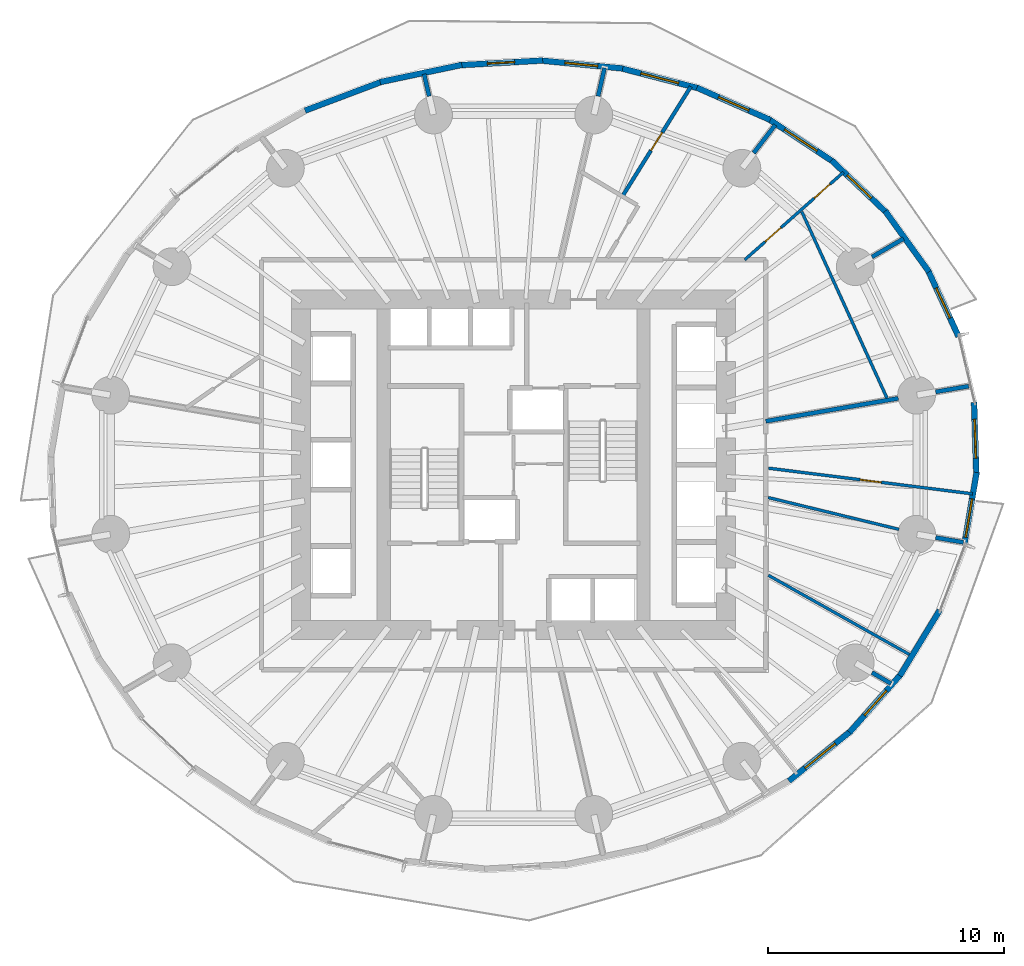
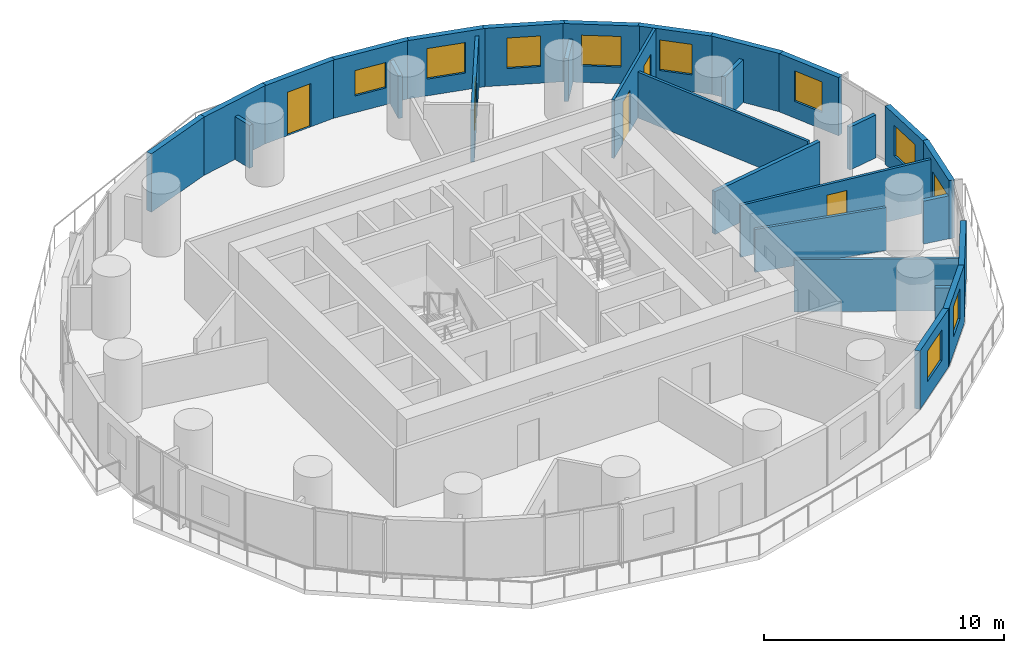
# One storey, part 9 of 14: 29 walls, 10 windows, 5 doors, 15 openings.
"""IFC4 building model written with IfcOpenShell, lengths in metres."""

from ifc_helpers import new_model, si_unit, direction, frame, frame_2d, origin, place, context, subcontext, project, spatial, rectangle, extrude, material, layer, layer_set, type_object, element, fill, save


model = new_model("IFC4")

# Units and contexts
model_context = context("Model", 3, precision=1e-05, world=origin(), true_north=direction((0.0, 1.0)))
body_context = subcontext(model_context, "Body", "Model", "MODEL_VIEW")
ifc_project = project(units=[si_unit("LENGTHUNIT", "METRE"), si_unit("AREAUNIT", "SQUARE_METRE"), si_unit("VOLUMEUNIT", "CUBIC_METRE"), si_unit("PLANEANGLEUNIT", "RADIAN"), si_unit("MASSUNIT", "GRAM", prefix="KILO")], contexts=[model_context])

# Site, building, storey
site_placement = place(None, origin())
site = spatial("IfcSite", under=ifc_project, at=site_placement, CompositionType="ELEMENT")
building_placement = place(site_placement, origin())
building = spatial("IfcBuilding", under=site, at=building_placement, Name="Veldorim Arch Residences", CompositionType="ELEMENT")
storey_placement = place(building_placement, frame((0.0, 0.0, 37.60009765625)))
storey = spatial("IfcBuildingStorey", under=building, at=storey_placement, Name="L10", CompositionType="ELEMENT", Elevation=37.60009765625)

# Wall, opening, door
ifc_material_1 = material(Name="Acoustic Gypsum Board", Category="gypsum")
ifc_layer_1 = layer(ifc_material_1, 0.125, Name="Acoustic Stud Room Partition Wall 125")
ifc_layer_set_1 = layer_set([ifc_layer_1], Name="Acoustic Gypsum Board")
wall_type_1 = type_object("IfcWallType", Name="Acoustic Stud Room Partition Wall 125", PredefinedType="PARTITIONING", material=ifc_layer_set_1)
wall_1_placement = place(storey_placement, frame((51.439453125, 22.767822265625, 0.0), z_axis=(0.0, 0.0, 1.0), x_axis=(-0.992204813033, 0.124617851825, 0.0)))
wall_1 = element("IfcWall", 1, at=wall_1_placement, inside=storey, type_object=wall_type_1, Name="L10 interior wall WL-RES-L10-006", PredefinedType="PARTITIONING", context=body_context, shape_type="SweptSolid", body=[
    extrude(rectangle(XDim=8.708251953125, YDim=0.125, at=frame_2d((4.35400390625, 0.0))), origin(), (0.0, 0.0, 1.0), 2.641357421875),
])
opening_1_placement = place(wall_1_placement, frame((3.904052734375, 0.0, 0.0)))
opening_1 = element("IfcOpeningElement", 2, at=opening_1_placement, cuts=wall_1, Name="Opening DR-SVC", PredefinedType="OPENING", context=body_context, shape_type="SweptSolid", body=[
    extrude(rectangle(XDim=0.89990234375, YDim=2.10009765625, at=frame_2d((0.449951171875, 1.050048828125))), frame((0.0, 0.072509765625, 0.0), z_axis=(0.0, -1.0, 0.0), x_axis=(1.0, 0.0, 0.0)), (0.0, 0.0, 1.0), 0.14501953125),
])
ifc_material_2 = material(Name="Fire-Rated Steel", Category="steel")
door_type_1 = type_object("IfcDoorType", Name="Riser, Shelter & Plant Room Rated Steel Door 900x2100", OperationType="SINGLE_SWING_LEFT", PredefinedType="DOOR", material=ifc_material_2)
door_1_placement = place(opening_1_placement, origin())
door_1 = element("IfcDoor", 3, at=door_1_placement, inside=storey, type_object=door_type_1, Name="L10 interior door DR-RES-L10-006", OperationType="SINGLE_SWING_RIGHT", OverallHeight=2.10009765625, OverallWidth=0.89990234375, PredefinedType="DOOR", context=body_context, shape_type="SweptSolid", body=[
    extrude(rectangle(XDim=0.89990234375, YDim=2.10009765625, at=frame_2d((0.449951171875, 1.050048828125))), frame((0.0, 0.02490234375, 0.0), z_axis=(0.0, -1.0, 0.0), x_axis=(1.0, 0.0, 0.0)), (0.0, 0.0, 1.0), 0.050048828125),
])
fill(opening_1, door_1)

# Walls
wall_2_placement = place(storey_placement, frame((48.85791015625, 15.9091796875, 0.0), z_axis=(0.0, 0.0, 1.0), x_axis=(-0.871931019114, 0.489628734764, 0.0)))
element("IfcWall", 4, at=wall_2_placement, inside=storey, type_object=wall_type_1, Name="L10 interior wall WL-RES-L10-008", PredefinedType="PARTITIONING", context=body_context, shape_type="SweptSolid", body=[
    extrude(rectangle(XDim=6.96533203125, YDim=0.125, at=frame_2d((3.482666015625, 0.0))), origin(), (0.0, 0.0, 1.0), 2.641357421875),
])
wall_3_placement = place(storey_placement, frame((42.777099609375, 22.612060546875, 0.0), z_axis=(0.0, 0.0, 1.0), x_axis=(0.971633604644, -0.236491307083, 0.0)))
element("IfcWall", 5, at=wall_3_placement, inside=storey, type_object=wall_type_1, Name="L10 interior wall WL-RES-L10-009", PredefinedType="PARTITIONING", context=body_context, shape_type="SweptSolid", body=[
    extrude(rectangle(XDim=5.706787109375, YDim=0.125, at=frame_2d((2.853515625, 0.0))), origin(), (0.0, 0.0, 1.0), 2.17822265625),
])

# Wall, openings, doors
wall_4_placement = place(storey_placement, frame((45.972900390625, 36.389892578125, 0.0), z_axis=(0.0, 0.0, 1.0), x_axis=(-0.748208515509, -0.663463651845, 0.0)))
wall_4 = element("IfcWall", 6, at=wall_4_placement, inside=storey, type_object=wall_type_1, Name="L10 interior wall WL-RES-L10-014", PredefinedType="PARTITIONING", context=body_context, shape_type="SweptSolid", body=[
    extrude(rectangle(XDim=5.591796875, YDim=0.125, at=frame_2d((2.7958984375, 0.0))), origin(), (0.0, 0.0, 1.0), 2.954833984375),
])
opening_2_placement = place(wall_4_placement, frame((0.7646484375, 0.0, 0.0)))
opening_2 = element("IfcOpeningElement", 7, at=opening_2_placement, cuts=wall_4, Name="Opening DR-INT", PredefinedType="OPENING", context=body_context, shape_type="SweptSolid", body=[
    extrude(rectangle(XDim=0.89990234375, YDim=2.10009765625, at=frame_2d((0.449951171875, 1.050048828125))), frame((0.0, 0.072509765625, 0.0), z_axis=(0.0, -1.0, 0.0), x_axis=(1.0, 0.0, 0.0)), (0.0, 0.0, 1.0), 0.14501953125),
])
opening_3_placement = place(wall_4_placement, frame((3.5400390625, 0.0, 0.0)))
opening_3 = element("IfcOpeningElement", 8, at=opening_3_placement, cuts=wall_4, Name="Opening DR-INT", PredefinedType="OPENING", context=body_context, shape_type="SweptSolid", body=[
    extrude(rectangle(XDim=0.89990234375, YDim=2.10009765625, at=frame_2d((0.449951171875, 1.050048828125))), frame((0.0, 0.072509765625, 0.0), z_axis=(0.0, -1.0, 0.0), x_axis=(1.0, 0.0, 0.0)), (0.0, 0.0, 1.0), 0.14501953125),
])
ifc_material_3 = material(Name="Engineered Timber", Category="wood")
door_type_2 = type_object("IfcDoorType", Name="Apartment Internal Room Timber Door 900x2100", OperationType="SINGLE_SWING_LEFT", PredefinedType="DOOR", material=ifc_material_3)
door_2_placement = place(opening_2_placement, origin())
door_2 = element("IfcDoor", 9, at=door_2_placement, inside=storey, type_object=door_type_2, Name="L10 interior door DR-RES-L10-009", OperationType="SINGLE_SWING_LEFT", OverallHeight=2.10009765625, OverallWidth=0.89990234375, PredefinedType="DOOR", context=body_context, shape_type="SweptSolid", body=[
    extrude(rectangle(XDim=0.89990234375, YDim=2.10009765625, at=frame_2d((0.449951171875, 1.050048828125))), frame((0.0, 0.02490234375, 0.0), z_axis=(0.0, -1.0, 0.0), x_axis=(1.0, 0.0, 0.0)), (0.0, 0.0, 1.0), 0.050048828125),
])
fill(opening_2, door_2)
door_3_placement = place(opening_3_placement, origin())
door_3 = element("IfcDoor", 10, at=door_3_placement, inside=storey, type_object=door_type_2, Name="L10 interior door DR-RES-L10-010", OperationType="SINGLE_SWING_RIGHT", OverallHeight=2.10009765625, OverallWidth=0.89990234375, PredefinedType="DOOR", context=body_context, shape_type="SweptSolid", body=[
    extrude(rectangle(XDim=0.89990234375, YDim=2.10009765625, at=frame_2d((0.449951171875, 1.050048828125))), frame((0.0, 0.02490234375, 0.0), z_axis=(0.0, -1.0, 0.0), x_axis=(1.0, 0.0, 0.0)), (0.0, 0.0, 1.0), 0.050048828125),
])
fill(opening_3, door_3)

# Walls
wall_5_placement = place(storey_placement, frame((47.81005859375, 26.827392578125, 0.0), z_axis=(0.0, 0.0, 1.0), x_axis=(-0.41559351113, 0.909550456823, 0.0)))
element("IfcWall", 11, at=wall_5_placement, inside=storey, type_object=wall_type_1, Name="L10 interior wall WL-RES-L10-018", PredefinedType="PARTITIONING", context=body_context, shape_type="SweptSolid", body=[
    extrude(rectangle(XDim=8.6767578125, YDim=0.125, at=frame_2d((4.33837890625, 0.0))), origin(), (0.0, 0.0, 1.0), 2.32763671875),
])
ifc_material_4 = material(Name="Lightweight Masonry Block & Gypsum", Category="masonry")
ifc_layer_2 = layer(ifc_material_4, 0.179931640625, Name="Compartment & Corridor Fire-Rated Party Wall 180")
ifc_layer_set_2 = layer_set([ifc_layer_2], Name="Lightweight Masonry Block & Gypsum")
wall_type_2 = type_object("IfcWallType", Name="Compartment & Corridor Fire-Rated Party Wall 180", PredefinedType="PARTITIONING", material=ifc_layer_set_2)
wall_6_placement = place(storey_placement, frame((49.873779296875, 27.08544921875, 0.0), z_axis=(0.0, 0.0, 1.0), x_axis=(0.985419363098, 0.170143112797, 0.0)))
element("IfcWall", 12, at=wall_6_placement, inside=storey, type_object=wall_type_2, Name="L10 interior wall WL-PIER-L10-01", PredefinedType="PARTITIONING", context=body_context, shape_type="SweptSolid", body=[
    extrude(rectangle(XDim=1.419189453125, YDim=0.179931640625, at=frame_2d((0.70947265625, 0.0))), origin(), (0.0, 0.0, 1.0), 2.17822265625),
])
wall_7_placement = place(storey_placement, frame((47.177001953125, 32.80029296875, 0.0), z_axis=(0.0, 0.0, 1.0), x_axis=(0.865036673907, 0.501708633369, 0.0)))
element("IfcWall", 13, at=wall_7_placement, inside=storey, type_object=wall_type_2, Name="L10 interior wall WL-PIER-L10-02", PredefinedType="PARTITIONING", context=body_context, shape_type="SweptSolid", body=[
    extrude(rectangle(XDim=1.54541015625, YDim=0.179931640625, at=frame_2d((0.772705078125, 0.0))), origin(), (0.0, 0.0, 1.0), 2.17822265625),
])
wall_8_placement = place(storey_placement, frame((42.167236328125, 37.204833984375, 0.0), z_axis=(0.0, 0.0, 1.0), x_axis=(0.609978856004, 0.792417689876, 0.0)))
element("IfcWall", 14, at=wall_8_placement, inside=storey, type_object=wall_type_2, Name="L10 interior wall WL-PIER-L10-03", PredefinedType="PARTITIONING", context=body_context, shape_type="SweptSolid", body=[
    extrude(rectangle(XDim=1.49609375, YDim=0.179931640625, at=frame_2d((0.748046875, 0.0))), origin(), (0.0, 0.0, 1.0), 2.17822265625),
])
wall_9_placement = place(storey_placement, frame((35.577880859375, 39.609130859375, 0.0), z_axis=(0.0, 0.0, 1.0), x_axis=(0.223317008343, 0.974745871386, 0.0)))
element("IfcWall", 15, at=wall_9_placement, inside=storey, type_object=wall_type_2, Name="L10 interior wall WL-PIER-L10-04", PredefinedType="PARTITIONING", context=body_context, shape_type="SweptSolid", body=[
    extrude(rectangle(XDim=1.2255859375, YDim=0.179931640625, at=frame_2d((0.61279296875, 0.0))), origin(), (0.0, 0.0, 1.0), 2.17822265625),
])
wall_10_placement = place(storey_placement, frame((28.422119140625, 39.609130859375, 0.0), z_axis=(0.0, 0.0, 1.0), x_axis=(-0.223204870581, 0.974771555673, 0.0)))
element("IfcWall", 16, at=wall_10_placement, inside=storey, type_object=wall_type_2, Name="L10 interior wall WL-PIER-L10-05", PredefinedType="PARTITIONING", context=body_context, shape_type="SweptSolid", body=[
    extrude(rectangle(XDim=0.959228515625, YDim=0.179931640625, at=frame_2d((0.4794921875, 0.0))), origin(), (0.0, 0.0, 1.0), 2.17822265625),
])
wall_11_placement = place(storey_placement, frame((47.177001953125, 15.19970703125, 0.0), z_axis=(0.0, 0.0, 1.0), x_axis=(0.864965183009, -0.501831876411, 0.0)))
element("IfcWall", 17, at=wall_11_placement, inside=storey, type_object=wall_type_2, Name="L10 interior wall WL-PIER-L10-15", PredefinedType="PARTITIONING", context=body_context, shape_type="SweptSolid", body=[
    extrude(rectangle(XDim=0.93115234375, YDim=0.179931640625, at=frame_2d((0.465576171875, 0.0))), origin(), (0.0, 0.0, 1.0), 2.17822265625),
])
wall_12_placement = place(storey_placement, frame((49.873779296875, 20.91455078125, 0.0), z_axis=(0.0, 0.0, 1.0), x_axis=(0.98541644509, -0.170160012181, 0.0)))
element("IfcWall", 18, at=wall_12_placement, inside=storey, type_object=wall_type_2, Name="L10 interior wall WL-PIER-L10-16", PredefinedType="PARTITIONING", context=body_context, shape_type="SweptSolid", body=[
    extrude(rectangle(XDim=1.195068359375, YDim=0.179931640625, at=frame_2d((0.59765625, 0.0))), origin(), (0.0, 0.0, 1.0), 2.17822265625),
])
wall_13_placement = place(storey_placement, frame((42.679931640625, 25.843505859375, 0.0), z_axis=(0.0, 0.0, 1.0), x_axis=(0.98542122422, 0.170132333364, 0.0)))
element("IfcWall", 19, at=wall_13_placement, inside=storey, type_object=wall_type_2, Name="L10 interior wall WL-RES-L10-007", PredefinedType="PARTITIONING", context=body_context, shape_type="SweptSolid", body=[
    extrude(rectangle(XDim=5.694091796875, YDim=0.179931640625, at=frame_2d((2.84716796875, 0.0))), origin(), (0.0, 0.0, 1.0), 2.17822265625),
])

# Wall, opening, window
ifc_material_5 = material(Name="Precast concrete C40/50", Category="concrete")
ifc_layer_3 = layer(ifc_material_5, 0.25, Name="Tower Terracotta Spandrel & Pier Wall 250")
ifc_layer_set_3 = layer_set([ifc_layer_3], Name="Precast concrete C40/50")
wall_type_3 = type_object("IfcWallType", Name="Tower Terracotta Spandrel & Pier Wall 250", PredefinedType="SOLIDWALL", material=ifc_layer_set_3)
wall_14_placement = place(storey_placement, frame((49.537841796875, 32.26806640625, 0.0), z_axis=(0.0, 0.0, 1.0), x_axis=(0.417872029175, -0.908505898293, 0.0)))
wall_14 = element("IfcWall", 20, at=wall_14_placement, inside=storey, type_object=wall_type_3, Name="L10 terracotta facade wall 02", PredefinedType="SOLIDWALL", context=body_context, shape_type="SweptSolid", body=[
    extrude(rectangle(XDim=3.120361328125, YDim=0.25, at=frame_2d((1.56005859375, 0.0))), origin(), (0.0, 0.0, 1.0), 2.9599609375),
])
opening_4_placement = place(wall_14_placement, frame((0.860107421875, 0.0, 0.85009765625)))
opening_4 = element("IfcOpeningElement", 21, at=opening_4_placement, cuts=wall_14, Name="Opening WN-02", PredefinedType="OPENING", context=body_context, shape_type="SweptSolid", body=[
    extrude(rectangle(XDim=1.39990234375, YDim=1.550048828125, at=frame_2d((0.699951171875, 0.77490234375))), frame((0.0, 0.135009765625, 0.0), z_axis=(0.0, -1.0, 0.0), x_axis=(1.0, 0.0, 0.0)), (0.0, 0.0, 1.0), 0.27001953125),
])
ifc_material_6 = material(Name="Laminated Low-E Glass", Category="glass")
window_type_1 = type_object("IfcWindowType", Name="Residential Casement Window 1400x1550", PartitioningType="SINGLE_PANEL", PredefinedType="WINDOW", material=ifc_material_6)
window_1_placement = place(opening_4_placement, origin())
window_1 = element("IfcWindow", 22, at=window_1_placement, inside=storey, type_object=window_type_1, Name="L10 solar-control facade window 02", OverallHeight=1.550048828125, OverallWidth=1.39990234375, PartitioningType="SINGLE_PANEL", PredefinedType="WINDOW", context=body_context, shape_type="SweptSolid", body=[
    extrude(rectangle(XDim=1.39990234375, YDim=1.550048828125, at=frame_2d((0.699951171875, 0.77490234375))), frame((0.0, 0.030029296875, 0.0), z_axis=(0.0, -1.0, 0.0), x_axis=(1.0, 0.0, 0.0)), (0.0, 0.0, 1.0), 0.06005859375),
])
fill(opening_4, window_1)

# Wall
wall_15_placement = place(storey_placement, frame((47.739013671875, 34.74462890625, 0.0), z_axis=(0.0, 0.0, 1.0), x_axis=(0.584805106467, -0.811173833066, 0.0)))
element("IfcWall", 23, at=wall_15_placement, inside=storey, type_object=wall_type_3, Name="L10 terracotta facade wall 03", PredefinedType="SOLIDWALL", context=body_context, shape_type="SweptSolid", body=[
    extrude(rectangle(XDim=3.174072265625, YDim=0.25, at=frame_2d((1.5869140625, 0.0))), origin(), (0.0, 0.0, 1.0), 2.9599609375),
])

# Wall, opening, window
wall_16_placement = place(storey_placement, frame((45.46240234375, 36.895751953125, 0.0), z_axis=(0.0, 0.0, 1.0), x_axis=(0.724569059836, -0.689202203659, 0.0)))
wall_16 = element("IfcWall", 24, at=wall_16_placement, inside=storey, type_object=wall_type_3, Name="L10 terracotta facade wall 04", PredefinedType="SOLIDWALL", context=body_context, shape_type="SweptSolid", body=[
    extrude(rectangle(XDim=3.244384765625, YDim=0.25, at=frame_2d((1.6220703125, 0.0))), origin(), (0.0, 0.0, 1.0), 2.9599609375),
])
opening_5_placement = place(wall_16_placement, frame((0.922119140625, 0.0, 0.85009765625)))
opening_5 = element("IfcOpeningElement", 25, at=opening_5_placement, cuts=wall_16, Name="Opening WN-02", PredefinedType="OPENING", context=body_context, shape_type="SweptSolid", body=[
    extrude(rectangle(XDim=1.39990234375, YDim=1.550048828125, at=frame_2d((0.699951171875, 0.77490234375))), frame((0.0, 0.135009765625, 0.0), z_axis=(0.0, -1.0, 0.0), x_axis=(1.0, 0.0, 0.0)), (0.0, 0.0, 1.0), 0.27001953125),
])
window_2_placement = place(opening_5_placement, origin())
window_2 = element("IfcWindow", 26, at=window_2_placement, inside=storey, type_object=window_type_1, Name="L10 solar-control facade window 04", OverallHeight=1.550048828125, OverallWidth=1.39990234375, PartitioningType="SINGLE_PANEL", PredefinedType="WINDOW", context=body_context, shape_type="SweptSolid", body=[
    extrude(rectangle(XDim=1.39990234375, YDim=1.550048828125, at=frame_2d((0.699951171875, 0.77490234375))), frame((0.0, 0.030029296875, 0.0), z_axis=(0.0, -1.0, 0.0), x_axis=(1.0, 0.0, 0.0)), (0.0, 0.0, 1.0), 0.06005859375),
])
fill(opening_5, window_2)

wall_17_placement = place(storey_placement, frame((42.776611328125, 38.656494140625, 0.0), z_axis=(0.0, 0.0, 1.0), x_axis=(0.834663448541, -0.550760317805, 0.0)))
wall_17 = element("IfcWall", 27, at=wall_17_placement, inside=storey, type_object=wall_type_3, Name="L10 terracotta facade wall 05", PredefinedType="SOLIDWALL", context=body_context, shape_type="SweptSolid", body=[
    extrude(rectangle(XDim=3.32275390625, YDim=0.25, at=frame_2d((1.661376953125, 0.0))), origin(), (0.0, 0.0, 1.0), 2.9599609375),
])
opening_6_placement = place(wall_17_placement, frame((0.8359375, 0.0, 0.85009765625)))
opening_6 = element("IfcOpeningElement", 28, at=opening_6_placement, cuts=wall_17, Name="Opening WN-03", PredefinedType="OPENING", context=body_context, shape_type="SweptSolid", body=[
    extrude(rectangle(XDim=1.64990234375, YDim=1.550048828125, at=frame_2d((0.824951171875, 0.77490234375))), frame((0.0, 0.135009765625, 0.0), z_axis=(0.0, -1.0, 0.0), x_axis=(1.0, 0.0, 0.0)), (0.0, 0.0, 1.0), 0.27001953125),
])
ifc_material_7 = material(Name="Laminated Low-E Glass", Category="glass")
window_type_2 = type_object("IfcWindowType", Name="Residential Wide Window 1650x1550", PartitioningType="SINGLE_PANEL", PredefinedType="WINDOW", material=ifc_material_7)
window_3_placement = place(opening_6_placement, origin())
window_3 = element("IfcWindow", 29, at=window_3_placement, inside=storey, type_object=window_type_2, Name="L10 solar-control facade window 05", OverallHeight=1.550048828125, OverallWidth=1.64990234375, PartitioningType="SINGLE_PANEL", PredefinedType="WINDOW", context=body_context, shape_type="SweptSolid", body=[
    extrude(rectangle(XDim=1.64990234375, YDim=1.550048828125, at=frame_2d((0.824951171875, 0.77490234375))), frame((0.0, 0.030029296875, 0.0), z_axis=(0.0, -1.0, 0.0), x_axis=(1.0, 0.0, 0.0)), (0.0, 0.0, 1.0), 0.06005859375),
])
fill(opening_6, window_3)

wall_18_placement = place(storey_placement, frame((39.7626953125, 39.972412109375, 0.0), z_axis=(0.0, 0.0, 1.0), x_axis=(0.915312914138, -0.402743428515, 0.0)))
wall_18 = element("IfcWall", 30, at=wall_18_placement, inside=storey, type_object=wall_type_3, Name="L10 terracotta facade wall 06", PredefinedType="SOLIDWALL", context=body_context, shape_type="SweptSolid", body=[
    extrude(rectangle(XDim=3.39892578125, YDim=0.25, at=frame_2d((1.699462890625, 0.0))), origin(), (0.0, 0.0, 1.0), 2.9599609375),
])
opening_7_placement = place(wall_18_placement, frame((1.0, 0.0, 0.85009765625)))
opening_7 = element("IfcOpeningElement", 31, at=opening_7_placement, cuts=wall_18, Name="Opening WN-02", PredefinedType="OPENING", context=body_context, shape_type="SweptSolid", body=[
    extrude(rectangle(XDim=1.39990234375, YDim=1.550048828125, at=frame_2d((0.699951171875, 0.77490234375))), frame((0.0, 0.135009765625, 0.0), z_axis=(0.0, -1.0, 0.0), x_axis=(1.0, 0.0, 0.0)), (0.0, 0.0, 1.0), 0.27001953125),
])
window_4_placement = place(opening_7_placement, origin())
window_4 = element("IfcWindow", 32, at=window_4_placement, inside=storey, type_object=window_type_1, Name="L10 solar-control facade window 06", OverallHeight=1.550048828125, OverallWidth=1.39990234375, PartitioningType="SINGLE_PANEL", PredefinedType="WINDOW", context=body_context, shape_type="SweptSolid", body=[
    extrude(rectangle(XDim=1.39990234375, YDim=1.550048828125, at=frame_2d((0.699951171875, 0.77490234375))), frame((0.0, 0.030029296875, 0.0), z_axis=(0.0, -1.0, 0.0), x_axis=(1.0, 0.0, 0.0)), (0.0, 0.0, 1.0), 0.06005859375),
])
fill(opening_7, window_4)

wall_19_placement = place(storey_placement, frame((36.51171875, 40.803466796875, 0.0), z_axis=(0.0, 0.0, 1.0), x_axis=(0.968176058434, -0.250270093848, 0.0)))
wall_19 = element("IfcWall", 33, at=wall_19_placement, inside=storey, type_object=wall_type_3, Name="L10 terracotta facade wall 07", PredefinedType="SOLIDWALL", context=body_context, shape_type="SweptSolid", body=[
    extrude(rectangle(XDim=3.465087890625, YDim=0.25, at=frame_2d((1.732421875, 0.0))), origin(), (0.0, 0.0, 1.0), 2.9599609375),
])
opening_8_placement = place(wall_19_placement, frame((0.906982421875, 0.0, 0.85009765625)))
opening_8 = element("IfcOpeningElement", 34, at=opening_8_placement, cuts=wall_19, Name="Opening WN-03", PredefinedType="OPENING", context=body_context, shape_type="SweptSolid", body=[
    extrude(rectangle(XDim=1.64990234375, YDim=1.550048828125, at=frame_2d((0.824951171875, 0.77490234375))), frame((0.0, 0.135009765625, 0.0), z_axis=(0.0, -1.0, 0.0), x_axis=(1.0, 0.0, 0.0)), (0.0, 0.0, 1.0), 0.27001953125),
])
window_5_placement = place(opening_8_placement, origin())
window_5 = element("IfcWindow", 35, at=window_5_placement, inside=storey, type_object=window_type_2, Name="L10 solar-control facade window 07", OverallHeight=1.550048828125, OverallWidth=1.64990234375, PartitioningType="SINGLE_PANEL", PredefinedType="WINDOW", context=body_context, shape_type="SweptSolid", body=[
    extrude(rectangle(XDim=1.64990234375, YDim=1.550048828125, at=frame_2d((0.824951171875, 0.77490234375))), frame((0.0, 0.030029296875, 0.0), z_axis=(0.0, -1.0, 0.0), x_axis=(1.0, 0.0, 0.0)), (0.0, 0.0, 1.0), 0.06005859375),
])
fill(opening_8, window_5)

wall_20_placement = place(storey_placement, frame((33.122802734375, 41.123779296875, 0.0), z_axis=(0.0, 0.0, 1.0), x_axis=(0.995323323337, -0.096599596386, 0.0)))
wall_20 = element("IfcWall", 36, at=wall_20_placement, inside=storey, type_object=wall_type_3, Name="L10 terracotta facade wall 08", PredefinedType="SOLIDWALL", context=body_context, shape_type="SweptSolid", body=[
    extrude(rectangle(XDim=3.512939453125, YDim=0.25, at=frame_2d((1.75634765625, 0.0))), origin(), (0.0, 0.0, 1.0), 2.9599609375),
])
opening_9_placement = place(wall_20_placement, frame((1.055908203125, 0.0, 0.85009765625)))
opening_9 = element("IfcOpeningElement", 37, at=opening_9_placement, cuts=wall_20, Name="Opening WN-02", PredefinedType="OPENING", context=body_context, shape_type="SweptSolid", body=[
    extrude(rectangle(XDim=1.39990234375, YDim=1.2900390625, at=frame_2d((0.699951171875, 0.64501953125))), frame((0.0, 0.135009765625, 0.0), z_axis=(0.0, -1.0, 0.0), x_axis=(1.0, 0.0, 0.0)), (0.0, 0.0, 1.0), 0.27001953125),
])
window_6_placement = place(opening_9_placement, origin())
window_6 = element("IfcWindow", 38, at=window_6_placement, inside=storey, type_object=window_type_1, Name="L10 solar-control facade window 08", OverallHeight=1.2900390625, OverallWidth=1.39990234375, PartitioningType="SINGLE_PANEL", PredefinedType="WINDOW", context=body_context, shape_type="SweptSolid", body=[
    extrude(rectangle(XDim=1.39990234375, YDim=1.2900390625, at=frame_2d((0.699951171875, 0.64501953125))), frame((0.0, 0.030029296875, 0.0), z_axis=(0.0, -1.0, 0.0), x_axis=(1.0, 0.0, 0.0)), (0.0, 0.0, 1.0), 0.06005859375),
])
fill(opening_9, window_6)

# Wall, opening, door
wall_21_placement = place(storey_placement, frame((29.69921875, 40.923095703125, 0.0), z_axis=(0.0, 0.0, 1.0), x_axis=(0.998425121055, 0.056100602904, 0.0)))
wall_21 = element("IfcWall", 39, at=wall_21_placement, inside=storey, type_object=wall_type_3, Name="L10 terracotta facade wall 09", PredefinedType="SOLIDWALL", context=body_context, shape_type="SweptSolid", body=[
    extrude(rectangle(XDim=3.5380859375, YDim=0.25, at=frame_2d((1.76904296875, 0.0))), origin(), (0.0, 0.0, 1.0), 2.9599609375),
])
opening_10_placement = place(wall_21_placement, frame((1.194091796875, 0.0, 0.0)))
opening_10 = element("IfcOpeningElement", 40, at=opening_10_placement, cuts=wall_21, Name="Opening BL-DR", PredefinedType="OPENING", context=body_context, shape_type="SweptSolid", body=[
    extrude(rectangle(XDim=1.14990234375, YDim=2.199951171875, at=frame_2d((0.574951171875, 1.10009765625))), frame((0.0, 0.135009765625, 0.0), z_axis=(0.0, -1.0, 0.0), x_axis=(1.0, 0.0, 0.0)), (0.0, 0.0, 1.0), 0.27001953125),
])
ifc_material_8 = material(Name="Aluminium & Low-E Glass", Category="aluminium")
door_type_3 = type_object("IfcDoorType", Name="Glazed Planted Balcony Door 1150x2200", OperationType="SINGLE_SWING_LEFT", PredefinedType="DOOR", material=ifc_material_8)
door_4_placement = place(opening_10_placement, origin())
door_4 = element("IfcDoor", 41, at=door_4_placement, inside=storey, type_object=door_type_3, Name="L10 glazed outdoor terrace door BALC-1", OperationType="SINGLE_SWING_LEFT", OverallHeight=2.199951171875, OverallWidth=1.14990234375, PredefinedType="DOOR", context=body_context, shape_type="SweptSolid", body=[
    extrude(rectangle(XDim=1.14990234375, YDim=2.199951171875, at=frame_2d((0.574951171875, 1.10009765625))), frame((0.0, 0.02490234375, 0.0), z_axis=(0.0, -1.0, 0.0), x_axis=(1.0, 0.0, 0.0)), (0.0, 0.0, 1.0), 0.050048828125),
])
fill(opening_10, door_4)

# Walls
wall_22_placement = place(storey_placement, frame((26.344970703125, 40.20751953125, 0.0), z_axis=(0.0, 0.0, 1.0), x_axis=(0.978483842038, 0.206323461756, 0.0)))
element("IfcWall", 42, at=wall_22_placement, inside=storey, type_object=wall_type_3, Name="L10 terracotta facade wall 10", PredefinedType="SOLIDWALL", context=body_context, shape_type="SweptSolid", body=[
    extrude(rectangle(XDim=3.5380859375, YDim=0.25, at=frame_2d((1.76904296875, 0.0))), origin(), (0.0, 0.0, 1.0), 2.9599609375),
])
wall_23_placement = place(storey_placement, frame((23.162353515625, 38.99853515625, 0.0), z_axis=(0.0, 0.0, 1.0), x_axis=(0.935679231508, 0.352851775857, 0.0)))
element("IfcWall", 43, at=wall_23_placement, inside=storey, type_object=wall_type_3, Name="L10 terracotta facade wall 11", PredefinedType="SOLIDWALL", context=body_context, shape_type="SweptSolid", body=[
    extrude(rectangle(XDim=3.5126953125, YDim=0.25, at=frame_2d((1.75634765625, 0.0))), origin(), (0.0, 0.0, 1.0), 2.9599609375),
])

# Wall, opening, window
wall_24_placement = place(storey_placement, frame((46.306640625, 12.738525390625, 0.0), z_axis=(0.0, 0.0, 1.0), x_axis=(-0.778586232895, -0.627537630701, 0.0)))
wall_24 = element("IfcWall", 44, at=wall_24_placement, inside=storey, type_object=wall_type_3, Name="L10 terracotta facade wall 31", PredefinedType="SOLIDWALL", context=body_context, shape_type="SweptSolid", body=[
    extrude(rectangle(XDim=3.399169921875, YDim=0.25, at=frame_2d((1.69970703125, 0.0))), origin(), (0.0, 0.0, 1.0), 2.9599609375),
])
opening_11_placement = place(wall_24_placement, frame((0.875, 0.0, 0.85009765625)))
opening_11 = element("IfcOpeningElement", 45, at=opening_11_placement, cuts=wall_24, Name="Opening WN-03", PredefinedType="OPENING", context=body_context, shape_type="SweptSolid", body=[
    extrude(rectangle(XDim=1.64990234375, YDim=1.550048828125, at=frame_2d((0.824951171875, 0.77490234375))), frame((0.0, 0.135009765625, 0.0), z_axis=(0.0, -1.0, 0.0), x_axis=(1.0, 0.0, 0.0)), (0.0, 0.0, 1.0), 0.27001953125),
])
window_7_placement = place(opening_11_placement, origin())
window_7 = element("IfcWindow", 46, at=window_7_placement, inside=storey, type_object=window_type_2, Name="L10 solar-control facade window 31", OverallHeight=1.550048828125, OverallWidth=1.64990234375, PartitioningType="SINGLE_PANEL", PredefinedType="WINDOW", context=body_context, shape_type="SweptSolid", body=[
    extrude(rectangle(XDim=1.64990234375, YDim=1.550048828125, at=frame_2d((0.824951171875, 0.77490234375))), frame((0.0, 0.030029296875, 0.0), z_axis=(0.0, -1.0, 0.0), x_axis=(1.0, 0.0, 0.0)), (0.0, 0.0, 1.0), 0.06005859375),
])
fill(opening_11, window_7)

wall_25_placement = place(storey_placement, frame((48.426513671875, 15.152099609375, 0.0), z_axis=(0.0, 0.0, 1.0), x_axis=(-0.662112398544, -0.749404544751, 0.0)))
wall_25 = element("IfcWall", 47, at=wall_25_placement, inside=storey, type_object=wall_type_3, Name="L10 terracotta facade wall 32", PredefinedType="SOLIDWALL", context=body_context, shape_type="SweptSolid", body=[
    extrude(rectangle(XDim=3.322509765625, YDim=0.25, at=frame_2d((1.6611328125, 0.0))), origin(), (0.0, 0.0, 1.0), 2.9599609375),
])
opening_12_placement = place(wall_25_placement, frame((0.9609375, 0.0, 0.85009765625)))
opening_12 = element("IfcOpeningElement", 48, at=opening_12_placement, cuts=wall_25, Name="Opening WN-02", PredefinedType="OPENING", context=body_context, shape_type="SweptSolid", body=[
    extrude(rectangle(XDim=1.39990234375, YDim=1.550048828125, at=frame_2d((0.699951171875, 0.77490234375))), frame((0.0, 0.135009765625, 0.0), z_axis=(0.0, -1.0, 0.0), x_axis=(1.0, 0.0, 0.0)), (0.0, 0.0, 1.0), 0.27001953125),
])
window_8_placement = place(opening_12_placement, origin())
window_8 = element("IfcWindow", 49, at=window_8_placement, inside=storey, type_object=window_type_1, Name="L10 solar-control facade window 32", OverallHeight=1.550048828125, OverallWidth=1.39990234375, PartitioningType="SINGLE_PANEL", PredefinedType="WINDOW", context=body_context, shape_type="SweptSolid", body=[
    extrude(rectangle(XDim=1.39990234375, YDim=1.550048828125, at=frame_2d((0.699951171875, 0.77490234375))), frame((0.0, 0.030029296875, 0.0), z_axis=(0.0, -1.0, 0.0), x_axis=(1.0, 0.0, 0.0)), (0.0, 0.0, 1.0), 0.06005859375),
])
fill(opening_12, window_8)

# Wall
wall_26_placement = place(storey_placement, frame((50.04638671875, 17.833984375, 0.0), z_axis=(0.0, 0.0, 1.0), x_axis=(-0.519753566346, -0.854316235519, 0.0)))
element("IfcWall", 50, at=wall_26_placement, inside=storey, type_object=wall_type_3, Name="L10 terracotta facade wall 33", PredefinedType="SOLIDWALL", context=body_context, shape_type="SweptSolid", body=[
    extrude(rectangle(XDim=3.244384765625, YDim=0.25, at=frame_2d((1.6220703125, 0.0))), origin(), (0.0, 0.0, 1.0), 2.9599609375),
])

# Wall, opening, window
wall_27_placement = place(storey_placement, frame((51.606689453125, 23.669921875, 0.0), z_axis=(0.0, 0.0, 1.0), x_axis=(-0.166403122634, -0.98605780803, 0.0)))
wall_27 = element("IfcWall", 51, at=wall_27_placement, inside=storey, type_object=wall_type_3, Name="L10 terracotta facade wall 35", PredefinedType="SOLIDWALL", context=body_context, shape_type="SweptSolid", body=[
    extrude(rectangle(XDim=3.12060546875, YDim=0.25, at=frame_2d((1.560302734375, 0.0))), origin(), (0.0, 0.0, 1.0), 2.9599609375),
])
opening_13_placement = place(wall_27_placement, frame((1.135009765625, 0.0, 0.85009765625)))
opening_13 = element("IfcOpeningElement", 52, at=opening_13_placement, cuts=wall_27, Name="Opening WN-03", PredefinedType="OPENING", context=body_context, shape_type="SweptSolid", body=[
    extrude(rectangle(XDim=1.64990234375, YDim=1.2900390625, at=frame_2d((0.824951171875, 0.64501953125))), frame((0.0, 0.135009765625, 0.0), z_axis=(0.0, -1.0, 0.0), x_axis=(1.0, 0.0, 0.0)), (0.0, 0.0, 1.0), 0.27001953125),
])
window_9_placement = place(opening_13_placement, origin())
window_9 = element("IfcWindow", 53, at=window_9_placement, inside=storey, type_object=window_type_2, Name="L10 solar-control facade window 35", OverallHeight=1.2900390625, OverallWidth=1.64990234375, PartitioningType="SINGLE_PANEL", PredefinedType="WINDOW", context=body_context, shape_type="SweptSolid", body=[
    extrude(rectangle(XDim=1.64990234375, YDim=1.2900390625, at=frame_2d((0.824951171875, 0.64501953125))), frame((0.0, 0.030029296875, 0.0), z_axis=(0.0, -1.0, 0.0), x_axis=(1.0, 0.0, 0.0)), (0.0, 0.0, 1.0), 0.06005859375),
])
fill(opening_13, window_9)

wall_28_placement = place(storey_placement, frame((51.50146484375, 26.64599609375, 0.0), z_axis=(0.0, 0.0, 1.0), x_axis=(0.031584802517, -0.999501075662, 0.0)))
wall_28 = element("IfcWall", 54, at=wall_28_placement, inside=storey, type_object=wall_type_3, Name="L10 terracotta facade wall 36", PredefinedType="SOLIDWALL", context=body_context, shape_type="SweptSolid", body=[
    extrude(rectangle(XDim=3.091796875, YDim=0.25, at=frame_2d((1.5458984375, 0.0))), origin(), (0.0, 0.0, 1.0), 2.9599609375),
])
opening_14_placement = place(wall_28_placement, frame((0.720947265625, 0.0, 0.85009765625)))
opening_14 = element("IfcOpeningElement", 55, at=opening_14_placement, cuts=wall_28, Name="Opening WN-03", PredefinedType="OPENING", context=body_context, shape_type="SweptSolid", body=[
    extrude(rectangle(XDim=1.64990234375, YDim=1.550048828125, at=frame_2d((0.824951171875, 0.77490234375))), frame((0.0, 0.135009765625, 0.0), z_axis=(0.0, -1.0, 0.0), x_axis=(1.0, 0.0, 0.0)), (0.0, 0.0, 1.0), 0.27001953125),
])
window_10_placement = place(opening_14_placement, origin())
window_10 = element("IfcWindow", 56, at=window_10_placement, inside=storey, type_object=window_type_2, Name="L10 solar-control facade window 36", OverallHeight=1.550048828125, OverallWidth=1.64990234375, PartitioningType="SINGLE_PANEL", PredefinedType="WINDOW", context=body_context, shape_type="SweptSolid", body=[
    extrude(rectangle(XDim=1.64990234375, YDim=1.550048828125, at=frame_2d((0.824951171875, 0.77490234375))), frame((0.0, 0.030029296875, 0.0), z_axis=(0.0, -1.0, 0.0), x_axis=(1.0, 0.0, 0.0)), (0.0, 0.0, 1.0), 0.06005859375),
])
fill(opening_14, window_10)

# Wall, opening, door
ifc_material_9 = material(Name="Moisture-Resistant Gypsum & Stud", Category="gypsum")
ifc_layer_4 = layer(ifc_material_9, 0.159912109375, Name="Wet-Area Moisture-Resistant Plumbing Wall 160")
ifc_layer_set_4 = layer_set([ifc_layer_4], Name="Moisture-Resistant Gypsum & Stud")
wall_type_4 = type_object("IfcWallType", Name="Wet-Area Moisture-Resistant Plumbing Wall 160", PredefinedType="PLUMBINGWALL", material=ifc_layer_set_4)
wall_29_placement = place(storey_placement, frame((36.606689453125, 35.369140625, 0.0), z_axis=(0.0, 0.0, 1.0), x_axis=(0.529180994646, 0.848508971612, 0.0)))
wall_29 = element("IfcWall", 57, at=wall_29_placement, inside=storey, type_object=wall_type_4, Name="L10 interior wall WL-RES-L10-013", PredefinedType="PLUMBINGWALL", context=body_context, shape_type="SweptSolid", body=[
    extrude(rectangle(XDim=5.474853515625, YDim=0.159912109375, at=frame_2d((2.7373046875, 0.0))), origin(), (0.0, 0.0, 1.0), 2.641357421875),
])
opening_15_placement = place(wall_29_placement, frame((2.28759765625, 0.0, 0.0)))
opening_15 = element("IfcOpeningElement", 58, at=opening_15_placement, cuts=wall_29, Name="Opening DR-WC", PredefinedType="OPENING", context=body_context, shape_type="SweptSolid", body=[
    extrude(rectangle(XDim=0.89990234375, YDim=2.10009765625, at=frame_2d((0.449951171875, 1.050048828125))), frame((0.0, 0.08984375, 0.0), z_axis=(0.0, -1.0, 0.0), x_axis=(1.0, 0.0, 0.0)), (0.0, 0.0, 1.0), 0.179931640625),
])
ifc_material_10 = material(Name="Laminate Timber", Category="wood")
door_type_4 = type_object("IfcDoorType", Name="Bathroom & Accessible WC Moisture-Sealed Door 900x2100", OperationType="SINGLE_SWING_LEFT", PredefinedType="DOOR", material=ifc_material_10)
door_5_placement = place(opening_15_placement, origin())
door_5 = element("IfcDoor", 59, at=door_5_placement, inside=storey, type_object=door_type_4, Name="L10 interior door DR-RES-L10-008", OperationType="SINGLE_SWING_RIGHT", OverallHeight=2.10009765625, OverallWidth=0.89990234375, PredefinedType="DOOR", context=body_context, shape_type="SweptSolid", body=[
    extrude(rectangle(XDim=0.89990234375, YDim=2.10009765625, at=frame_2d((0.449951171875, 1.050048828125))), frame((0.0, 0.02490234375, 0.0), z_axis=(0.0, -1.0, 0.0), x_axis=(1.0, 0.0, 0.0)), (0.0, 0.0, 1.0), 0.050048828125),
])
fill(opening_15, door_5)

save(model, "model.ifc")
